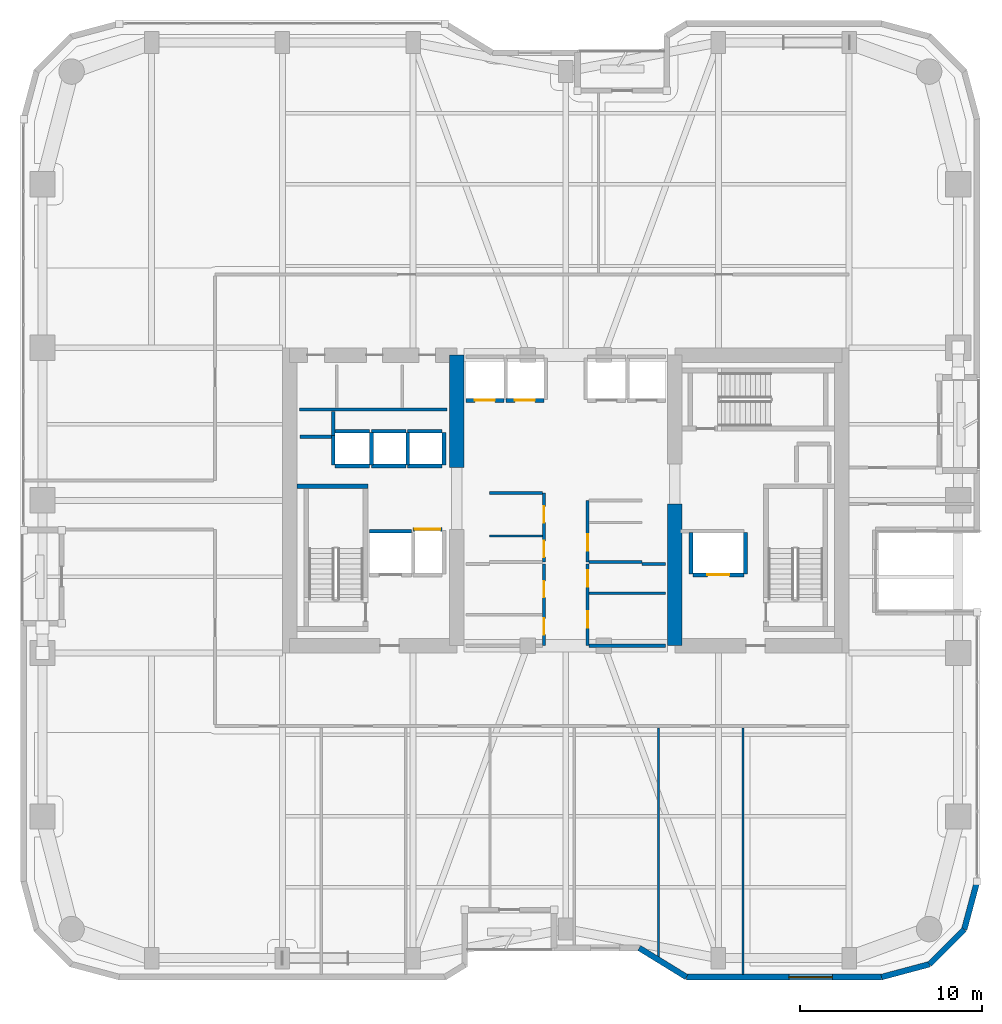
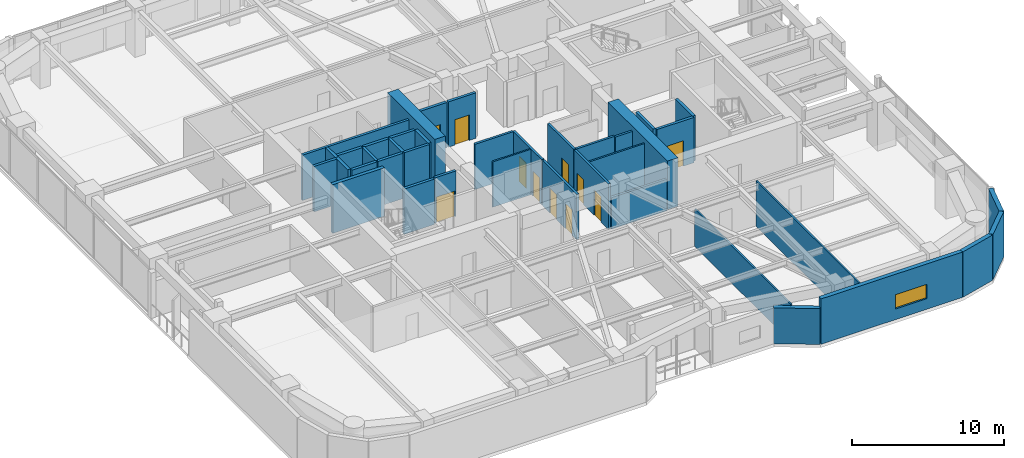
# One storey, part 19 of 24: 40 walls, 11 doors, 1 window, 12 openings.
"""IFC4 building model written with IfcOpenShell, lengths in metres."""

from ifc_helpers import new_model, si_unit, direction, frame, frame_2d, origin, place, context, subcontext, project, spatial, rectangle, extrude, material, layer, layer_set, type_object, element, fill, save


model = new_model("IFC4")

# Units and contexts
model_context = context("Model", 3, precision=1e-05, world=origin(), true_north=direction((0.0, 1.0)))
body_context = subcontext(model_context, "Body", "Model", "MODEL_VIEW")
ifc_project = project(units=[si_unit("LENGTHUNIT", "METRE"), si_unit("AREAUNIT", "SQUARE_METRE"), si_unit("VOLUMEUNIT", "CUBIC_METRE"), si_unit("PLANEANGLEUNIT", "RADIAN"), si_unit("MASSUNIT", "GRAM", prefix="KILO")], contexts=[model_context])

# Site, building, storey
site_placement = place(None, origin())
site = spatial("IfcSite", under=ifc_project, at=site_placement, CompositionType="ELEMENT")
building_placement = place(site_placement, origin())
building = spatial("IfcBuilding", under=site, at=building_placement, Name="Kiyonajd Concourse Tower", CompositionType="ELEMENT")
storey_placement = place(building_placement, frame((0.0, 0.0, 129.89990234375)))
storey = spatial("IfcBuildingStorey", under=building, at=storey_placement, Name="L33", CompositionType="ELEMENT", Elevation=129.89990234375)

# Walls
ifc_material_1 = material(Name="Concrete C70/85", Category="concrete")
ifc_layer_1 = layer(ifc_material_1, 0.800048828125)
ifc_layer_set_1 = layer_set([ifc_layer_1], Name="Concrete C70/85")
wall_type_1 = type_object("IfcWallType", Name="WL-CORE-800", PredefinedType="SHEAR", material=ifc_layer_set_1)
wall_1_placement = place(storey_placement, frame((42.0, 37.800048828125, 0.0), z_axis=(0.0, 0.0, 1.0), x_axis=(0.0, 1.0, 0.0)))
element("IfcWall", 1, at=wall_1_placement, inside=storey, type_object=wall_type_1, Name="L33 West Core Inner North Shear Wall", PredefinedType="SHEAR", context=body_context, shape_type="SweptSolid", body=[
    extrude(rectangle(XDim=6.199951171875, YDim=0.800048828125, at=frame_2d((3.10009765625, 0.0))), origin(), (0.0, 0.0, 1.0), 3.900146484375),
])
wall_2_placement = place(storey_placement, frame((54.0, 28.0, 0.0), z_axis=(0.0, 0.0, 1.0), x_axis=(0.0, 1.0, 0.0)))
element("IfcWall", 2, at=wall_2_placement, inside=storey, type_object=wall_type_1, Name="L33 East Core Inner South Shear Wall", PredefinedType="SHEAR", context=body_context, shape_type="SweptSolid", body=[
    extrude(rectangle(XDim=7.800048828125, YDim=0.800048828125, at=frame_2d((3.89990234375, 0.0))), origin(), (0.0, 0.0, 1.0), 3.900146484375),
])
ifc_material_2 = material(Name="Precast concrete C50/60", Category="concrete")
ifc_layer_2 = layer(ifc_material_2, 0.320068359375)
ifc_layer_set_2 = layer_set([ifc_layer_2], Name="Precast concrete C50/60")
wall_type_2 = type_object("IfcWallType", Name="WL-EXT-320", PredefinedType="SOLIDWALL", material=ifc_layer_set_2)
wall_3_placement = place(storey_placement, frame((70.639892578125, 15.02099609375, 0.0), z_axis=(0.0, 0.0, 1.0), x_axis=(-0.258613949072, -0.965980758269, 0.0)))
element("IfcWall", 3, at=wall_3_placement, inside=storey, type_object=wall_type_2, Name="L33 Exterior Concrete Frame Wall 28", PredefinedType="SOLIDWALL", context=body_context, shape_type="SweptSolid", body=[
    extrude(rectangle(XDim=2.731201171875, YDim=0.320068359375, at=frame_2d((1.36572265625, 0.0))), origin(), (0.0, 0.0, 1.0), 3.64013671875),
])
wall_4_placement = place(storey_placement, frame((69.93359375, 12.3828125, 0.0), z_axis=(0.0, 0.0, 1.0), x_axis=(-0.707151821269, -0.707061738235, 0.0)))
element("IfcWall", 4, at=wall_4_placement, inside=storey, type_object=wall_type_2, Name="L33 Exterior Concrete Frame Wall 29", PredefinedType="SOLIDWALL", context=body_context, shape_type="SweptSolid", body=[
    extrude(rectangle(XDim=2.710205078125, YDim=0.320068359375, at=frame_2d((1.35498046875, 0.0))), origin(), (0.0, 0.0, 1.0), 3.64013671875),
])
wall_5_placement = place(storey_placement, frame((68.01708984375, 10.466552734375, 0.0), z_axis=(0.0, 0.0, 1.0), x_axis=(-0.965958423373, -0.25869736047, 0.0)))
element("IfcWall", 5, at=wall_5_placement, inside=storey, type_object=wall_type_2, Name="L33 Exterior Concrete Frame Wall 30", PredefinedType="SOLIDWALL", context=body_context, shape_type="SweptSolid", body=[
    extrude(rectangle(XDim=2.731201171875, YDim=0.320068359375, at=frame_2d((1.36572265625, 0.0))), origin(), (0.0, 0.0, 1.0), 3.64013671875),
])

# Wall, opening, window
wall_6_placement = place(storey_placement, frame((65.37890625, 9.760009765625, 0.0), z_axis=(0.0, 0.0, 1.0), x_axis=(-1.0, 0.0, 0.0)))
wall_6 = element("IfcWall", 6, at=wall_6_placement, inside=storey, type_object=wall_type_2, Name="L33 Exterior Concrete Frame Wall 31", PredefinedType="SOLIDWALL", context=body_context, shape_type="SweptSolid", body=[
    extrude(rectangle(XDim=10.733642578125, YDim=0.320068359375, at=frame_2d((5.36669921875, 0.0))), origin(), (0.0, 0.0, 1.0), 3.64013671875),
])
opening_1_placement = place(wall_6_placement, frame((2.7041015625, 0.0, 0.85009765625)))
opening_1 = element("IfcOpeningElement", 7, at=opening_1_placement, cuts=wall_6, Name="Opening WN4", PredefinedType="OPENING", context=body_context, shape_type="SweptSolid", body=[
    extrude(rectangle(XDim=2.39990234375, YDim=1.14990234375, at=frame_2d((1.199951171875, 0.574951171875))), frame((0.0, 0.169921875, 0.0), z_axis=(0.0, -1.0, 0.0), x_axis=(1.0, 0.0, 0.0)), (0.0, 0.0, 1.0), 0.340087890625),
])
ifc_material_3 = material(Name="Double Low-E Insulated Glass", Category="glass")
window_type = type_object("IfcWindowType", Name="WN-VIS-2400x1150", PartitioningType="SINGLE_PANEL", PredefinedType="WINDOW", material=ifc_material_3)
window_placement = place(opening_1_placement, origin())
window = element("IfcWindow", 8, at=window_placement, inside=storey, type_object=window_type, Name="L33 Modular Facade Vision Window 31", OverallHeight=1.14990234375, OverallWidth=2.39990234375, PartitioningType="SINGLE_PANEL", PredefinedType="WINDOW", context=body_context, shape_type="SweptSolid", body=[
    extrude(rectangle(XDim=2.39990234375, YDim=1.14990234375, at=frame_2d((1.199951171875, 0.574951171875))), frame((0.0, 0.030029296875, 0.0), z_axis=(0.0, -1.0, 0.0), x_axis=(1.0, 0.0, 0.0)), (0.0, 0.0, 1.0), 0.06005859375),
])
fill(opening_1, window)

# Walls
wall_7_placement = place(storey_placement, frame((54.645263671875, 9.760009765625, 0.0), z_axis=(0.0, 0.0, 1.0), x_axis=(-0.851630857047, 0.524142044989, 0.0)))
element("IfcWall", 9, at=wall_7_placement, inside=storey, type_object=wall_type_2, Name="L33 Exterior Concrete Frame Wall 32", PredefinedType="SOLIDWALL", context=body_context, shape_type="SweptSolid", body=[
    extrude(rectangle(XDim=3.052734375, YDim=0.320068359375, at=frame_2d((1.5263671875, 0.0))), origin(), (0.0, 0.0, 1.0), 2.875),
])
ifc_material_4 = material(Name="Gypsum Board on Cold-Formed Steel Stud", Category="steel")
ifc_layer_3 = layer(ifc_material_4, 0.125)
ifc_layer_set_3 = layer_set([ifc_layer_3], Name="Gypsum Board on Cold-Formed Steel Stud")
wall_type_3 = type_object("IfcWallType", Name="WL-PART-125", PredefinedType="PARTITIONING", material=ifc_layer_set_3)
wall_8_placement = place(storey_placement, frame((43.800048828125, 34.0439453125, 0.0), z_axis=(0.0, 0.0, 1.0), x_axis=(1.0, 0.0, 0.0)))
element("IfcWall", 10, at=wall_8_placement, inside=storey, type_object=wall_type_3, Name="L33 Interior Partition Wall", PredefinedType="PARTITIONING", context=body_context, shape_type="SweptSolid", body=[
    extrude(rectangle(XDim=2.912841796875, YDim=0.125, at=frame_2d((1.45654296875, 0.0))), origin(), (0.0, 0.0, 1.0), 3.64013671875),
])
wall_9_placement = place(storey_placement, frame((49.287109375, 30.8798828125, 0.0), z_axis=(0.0, 0.0, 1.0), x_axis=(1.0, 0.0, 0.0)))
element("IfcWall", 11, at=wall_9_placement, inside=storey, type_object=wall_type_3, Name="L33 Interior Partition Wall", PredefinedType="PARTITIONING", context=body_context, shape_type="SweptSolid", body=[
    extrude(rectangle(XDim=4.212890625, YDim=0.125, at=frame_2d((2.1064453125, 0.0))), origin(), (0.0, 0.0, 1.0), 3.64013671875),
])
wall_10_placement = place(storey_placement, frame((53.110107421875, 10.860107421875, 0.0), z_axis=(0.0, 0.0, 1.0), x_axis=(0.0, 1.0, 0.0)))
element("IfcWall", 12, at=wall_10_placement, inside=storey, type_object=wall_type_3, Name="L33 Interior Partition Wall", PredefinedType="PARTITIONING", context=body_context, shape_type="SweptSolid", body=[
    extrude(rectangle(XDim=12.622802734375, YDim=0.125, at=frame_2d((6.3115234375, 0.0))), origin(), (0.0, 0.0, 1.0), 3.003173828125),
])
wall_11_placement = place(storey_placement, frame((57.760009765625, 9.9150390625, 0.0), z_axis=(0.0, 0.0, 1.0), x_axis=(0.0, 1.0, 0.0)))
element("IfcWall", 13, at=wall_11_placement, inside=storey, type_object=wall_type_3, Name="L33 Interior Partition Wall", PredefinedType="PARTITIONING", context=body_context, shape_type="SweptSolid", body=[
    extrude(rectangle(XDim=13.56787109375, YDim=0.125, at=frame_2d((6.783935546875, 0.0))), origin(), (0.0, 0.0, 1.0), 3.64013671875),
])
ifc_layer_4 = layer(ifc_material_4, 0.18994140625)
ifc_layer_set_4 = layer_set([ifc_layer_4], Name="Gypsum Board on Cold-Formed Steel Stud")
wall_type_4 = type_object("IfcWallType", Name="WL-PLMB-190", PredefinedType="PLUMBINGWALL", material=ifc_layer_set_4)
wall_12_placement = place(storey_placement, frame((33.35009765625, 41.0, 0.0), z_axis=(0.0, 0.0, 1.0), x_axis=(1.0, 0.0, 0.0)))
element("IfcWall", 14, at=wall_12_placement, inside=storey, type_object=wall_type_4, Name="L33 Interior Partition Wall", PredefinedType="PLUMBINGWALL", context=body_context, shape_type="SweptSolid", body=[
    extrude(rectangle(XDim=8.099853515625, YDim=0.18994140625, at=frame_2d((4.0498046875, 0.0))), origin(), (0.0, 0.0, 1.0), 3.64013671875),
])
ifc_layer_5 = layer(ifc_material_4, 0.2099609375)
ifc_layer_set_5 = layer_set([ifc_layer_5], Name="Gypsum Board on Cold-Formed Steel Stud")
wall_type_5 = type_object("IfcWallType", Name="WL-SHAFT-210", PredefinedType="PARTITIONING", material=ifc_layer_set_5)
wall_13_placement = place(storey_placement, frame((33.360107421875, 39.5, 0.0), z_axis=(0.0, 0.0, 1.0), x_axis=(1.0, 0.0, 0.0)))
element("IfcWall", 15, at=wall_13_placement, inside=storey, type_object=wall_type_5, Name="L33 Shaft Enclosure Wall", PredefinedType="PARTITIONING", context=body_context, shape_type="SweptSolid", body=[
    extrude(rectangle(XDim=1.85986328125, YDim=0.2099609375, at=frame_2d((0.929931640625, 0.0))), origin(), (0.0, 0.0, 1.0), 3.64013671875),
])
wall_14_placement = place(storey_placement, frame((35.199951171875, 39.580078125, 0.0), z_axis=(0.0, 0.0, 1.0), x_axis=(0.0, 1.0, 0.0)))
element("IfcWall", 16, at=wall_14_placement, inside=storey, type_object=wall_type_5, Name="L33 Shaft Enclosure Wall", PredefinedType="PARTITIONING", context=body_context, shape_type="SweptSolid", body=[
    extrude(rectangle(XDim=1.31982421875, YDim=0.2099609375, at=frame_2d((0.659912109375, 0.0))), origin(), (0.0, 0.0, 1.0), 3.64013671875),
])
wall_15_placement = place(storey_placement, frame((37.199951171875, 34.300048828125, 0.0), z_axis=(0.0, 0.0, 1.0), x_axis=(1.0, 0.0, 0.0)))
element("IfcWall", 17, at=wall_15_placement, inside=storey, type_object=wall_type_5, Name="L33 Shaft Enclosure Wall", PredefinedType="PARTITIONING", context=body_context, shape_type="SweptSolid", body=[
    extrude(rectangle(XDim=2.300048828125, YDim=0.2099609375, at=frame_2d((1.14990234375, 0.0))), origin(), (0.0, 0.0, 1.0), 3.64013671875),
])

# Wall, opening, door
wall_16_placement = place(storey_placement, frame((55.0, 31.89990234375, 0.0), z_axis=(0.0, 0.0, 1.0), x_axis=(1.0, 0.0, 0.0)))
wall_16 = element("IfcWall", 18, at=wall_16_placement, inside=storey, type_object=wall_type_5, Name="L33 Shaft Enclosure Wall", PredefinedType="PARTITIONING", context=body_context, shape_type="SweptSolid", body=[
    extrude(rectangle(XDim=2.800048828125, YDim=0.2099609375, at=frame_2d((1.39990234375, 0.0))), origin(), (0.0, 0.0, 1.0), 3.64013671875),
])
opening_2_placement = place(wall_16_placement, frame((0.800048828125, 0.0, 0.0)))
opening_2 = element("IfcOpeningElement", 19, at=opening_2_placement, cuts=wall_16, Name="Opening LD2", PredefinedType="OPENING", context=body_context, shape_type="SweptSolid", body=[
    extrude(rectangle(XDim=1.199951171875, YDim=2.0400390625, at=frame_2d((0.60009765625, 1.02001953125))), frame((0.0, 0.114990234375, 0.0), z_axis=(0.0, -1.0, 0.0), x_axis=(1.0, 0.0, 0.0)), (0.0, 0.0, 1.0), 0.22998046875),
])
ifc_material_5 = material(Name="Brushed Stainless Steel Cab Assembly", Category="steel")
door_type_1 = type_object("IfcDoorType", Name="DR-LD-1200", OperationType="DOUBLE_DOOR_SLIDING", PredefinedType="DOOR", material=ifc_material_5)
door_1_placement = place(opening_2_placement, origin())
door_1 = element("IfcDoor", 20, at=door_1_placement, inside=storey, type_object=door_type_1, Name="L33 Lift FFL2 Sliding Landing Door", OperationType="DOUBLE_DOOR_SLIDING", OverallHeight=2.0400390625, OverallWidth=1.199951171875, PredefinedType="DOOR", context=body_context, shape_type="SweptSolid", body=[
    extrude(rectangle(XDim=1.199951171875, YDim=2.0400390625, at=frame_2d((0.60009765625, 1.02001953125))), frame((0.0, 0.02490234375, 0.0), z_axis=(0.0, -1.0, 0.0), x_axis=(1.0, 0.0, 0.0)), (0.0, 0.0, 1.0), 0.050048828125),
])
fill(opening_2, door_1)

# Walls
for number, where, z_axis, x_axis, name in (
    (21, (54.89990234375, 31.9599609375, 0.0), (0.0, 0.0, 1.0), (0.0, 1.0, 0.0), "L33 Shaft Enclosure Wall"),
    (22, (57.89990234375, 31.9599609375, 0.0), (0.0, 0.0, 1.0), (0.0, 1.0, 0.0), "L33 Shaft Enclosure Wall"),
):
    element("IfcWall", number, at=place(storey_placement, frame(where, z_axis=z_axis, x_axis=x_axis)), inside=storey, type_object=wall_type_5, Name=name, PredefinedType="PARTITIONING", context=body_context, shape_type="SweptSolid", body=[
        extrude(rectangle(XDim=2.280029296875, YDim=0.2099609375, at=frame_2d((1.14013671875, 0.0))), origin(), (0.0, 0.0, 1.0), 3.64013671875),
    ])

# Wall, opening, door
wall_17_placement = place(storey_placement, frame((39.60009765625, 34.39990234375, 0.0), z_axis=(0.0, 0.0, 1.0), x_axis=(1.0, 0.0, 0.0)))
wall_17 = element("IfcWall", 23, at=wall_17_placement, inside=storey, type_object=wall_type_5, Name="L33 Shaft Enclosure Wall", PredefinedType="PARTITIONING", context=body_context, shape_type="SweptSolid", body=[
    extrude(rectangle(XDim=1.599853515625, YDim=0.2099609375, at=frame_2d((0.7998046875, 0.0))), origin(), (0.0, 0.0, 1.0), 3.64013671875),
])
opening_3_placement = place(wall_17_placement, frame((0.10009765625, 0.0, 0.0)))
opening_3 = element("IfcOpeningElement", 24, at=opening_3_placement, cuts=wall_17, Name="Opening LD3", PredefinedType="OPENING", context=body_context, shape_type="SweptSolid", body=[
    extrude(rectangle(XDim=1.39990234375, YDim=2.06005859375, at=frame_2d((0.699951171875, 1.030029296875))), frame((0.0, 0.114990234375, 0.0), z_axis=(0.0, -1.0, 0.0), x_axis=(1.0, 0.0, 0.0)), (0.0, 0.0, 1.0), 0.22998046875),
])
door_type_2 = type_object("IfcDoorType", Name="DR-LD-1400", OperationType="DOUBLE_DOOR_SLIDING", PredefinedType="DOOR", material=ifc_material_5)
door_2_placement = place(opening_3_placement, origin())
door_2 = element("IfcDoor", 25, at=door_2_placement, inside=storey, type_object=door_type_2, Name="L33 Lift SVL1 Sliding Landing Door", OperationType="DOUBLE_DOOR_SLIDING", OverallHeight=2.06005859375, OverallWidth=1.39990234375, PredefinedType="DOOR", context=body_context, shape_type="SweptSolid", body=[
    extrude(rectangle(XDim=1.39990234375, YDim=2.06005859375, at=frame_2d((0.699951171875, 1.030029296875))), frame((0.0, 0.02490234375, 0.0), z_axis=(0.0, -1.0, 0.0), x_axis=(1.0, 0.0, 0.0)), (0.0, 0.0, 1.0), 0.050048828125),
])
fill(opening_3, door_2)

wall_18_placement = place(storey_placement, frame((42.5, 41.5, 0.0), z_axis=(0.0, 0.0, 1.0), x_axis=(1.0, 0.0, 0.0)))
wall_18 = element("IfcWall", 26, at=wall_18_placement, inside=storey, type_object=wall_type_5, Name="L33 Shaft Enclosure Wall", PredefinedType="PARTITIONING", context=body_context, shape_type="SweptSolid", body=[
    extrude(rectangle(XDim=2.10009765625, YDim=0.2099609375, at=frame_2d((1.050048828125, 0.0))), origin(), (0.0, 0.0, 1.0), 3.64013671875),
])
opening_4_placement = place(wall_18_placement, frame((0.5, 0.0, 0.0)))
opening_4 = element("IfcOpeningElement", 27, at=opening_4_placement, cuts=wall_18, Name="Opening LD1", PredefinedType="OPENING", context=body_context, shape_type="SweptSolid", body=[
    extrude(rectangle(XDim=1.10009765625, YDim=2.0400390625, at=frame_2d((0.550048828125, 1.02001953125))), frame((0.0, 0.114990234375, 0.0), z_axis=(0.0, -1.0, 0.0), x_axis=(1.0, 0.0, 0.0)), (0.0, 0.0, 1.0), 0.22998046875),
])
door_type_3 = type_object("IfcDoorType", Name="DR-LD-1100", OperationType="DOUBLE_DOOR_SLIDING", PredefinedType="DOOR", material=ifc_material_5)
door_3_placement = place(opening_4_placement, origin())
door_3 = element("IfcDoor", 28, at=door_3_placement, inside=storey, type_object=door_type_3, Name="L33 Lift PL-M1 Sliding Landing Door", OperationType="DOUBLE_DOOR_SLIDING", OverallHeight=2.0400390625, OverallWidth=1.10009765625, PredefinedType="DOOR", context=body_context, shape_type="SweptSolid", body=[
    extrude(rectangle(XDim=1.10009765625, YDim=2.0400390625, at=frame_2d((0.550048828125, 1.02001953125))), frame((0.0, 0.02490234375, 0.0), z_axis=(0.0, -1.0, 0.0), x_axis=(1.0, 0.0, 0.0)), (0.0, 0.0, 1.0), 0.050048828125),
])
fill(opening_4, door_3)

wall_19_placement = place(storey_placement, frame((44.699951171875, 41.5, 0.0), z_axis=(0.0, 0.0, 1.0), x_axis=(1.0, 0.0, 0.0)))
wall_19 = element("IfcWall", 29, at=wall_19_placement, inside=storey, type_object=wall_type_5, Name="L33 Shaft Enclosure Wall", PredefinedType="PARTITIONING", context=body_context, shape_type="SweptSolid", body=[
    extrude(rectangle(XDim=2.10009765625, YDim=0.2099609375, at=frame_2d((1.050048828125, 0.0))), origin(), (0.0, 0.0, 1.0), 3.64013671875),
])
opening_5_placement = place(wall_19_placement, frame((0.5, 0.0, 0.0)))
opening_5 = element("IfcOpeningElement", 30, at=opening_5_placement, cuts=wall_19, Name="Opening LD1", PredefinedType="OPENING", context=body_context, shape_type="SweptSolid", body=[
    extrude(rectangle(XDim=1.10009765625, YDim=2.0400390625, at=frame_2d((0.550048828125, 1.02001953125))), frame((0.0, 0.114990234375, 0.0), z_axis=(0.0, -1.0, 0.0), x_axis=(1.0, 0.0, 0.0)), (0.0, 0.0, 1.0), 0.22998046875),
])
door_4_placement = place(opening_5_placement, origin())
door_4 = element("IfcDoor", 31, at=door_4_placement, inside=storey, type_object=door_type_3, Name="L33 Lift PL-M2 Sliding Landing Door", OperationType="DOUBLE_DOOR_SLIDING", OverallHeight=2.0400390625, OverallWidth=1.10009765625, PredefinedType="DOOR", context=body_context, shape_type="SweptSolid", body=[
    extrude(rectangle(XDim=1.10009765625, YDim=2.0400390625, at=frame_2d((0.550048828125, 1.02001953125))), frame((0.0, 0.02490234375, 0.0), z_axis=(0.0, -1.0, 0.0), x_axis=(1.0, 0.0, 0.0)), (0.0, 0.0, 1.0), 0.050048828125),
])
fill(opening_5, door_4)

# Walls
for number, where, z_axis, x_axis, name in (
    (32, (35.300048828125, 37.89990234375, 0.0), (0.0, 0.0, 1.0), (1.0, 0.0, 0.0), "L33 Shaft Enclosure Wall"),
    (33, (35.300048828125, 39.800048828125, 0.0), (0.0, 0.0, 1.0), (1.0, 0.0, 0.0), "L33 Shaft Enclosure Wall"),
):
    element("IfcWall", number, at=place(storey_placement, frame(where, z_axis=z_axis, x_axis=x_axis)), inside=storey, type_object=wall_type_5, Name=name, PredefinedType="PARTITIONING", context=body_context, shape_type="SweptSolid", body=[
        extrude(rectangle(XDim=1.89990234375, YDim=0.2099609375, at=frame_2d((0.949951171875, 0.0))), origin(), (0.0, 0.0, 1.0), 3.64013671875),
    ])
wall_20_placement = place(storey_placement, frame((35.199951171875, 37.9599609375, 0.0), z_axis=(0.0, 0.0, 1.0), x_axis=(0.0, 1.0, 0.0)))
element("IfcWall", 34, at=wall_20_placement, inside=storey, type_object=wall_type_5, Name="L33 Shaft Enclosure Wall", PredefinedType="PARTITIONING", context=body_context, shape_type="SweptSolid", body=[
    extrude(rectangle(XDim=1.6201171875, YDim=0.2099609375, at=frame_2d((0.81005859375, 0.0))), origin(), (0.0, 0.0, 1.0), 3.64013671875),
])
wall_21_placement = place(storey_placement, frame((37.300048828125, 37.9599609375, 0.0), z_axis=(0.0, 0.0, 1.0), x_axis=(0.0, 1.0, 0.0)))
element("IfcWall", 35, at=wall_21_placement, inside=storey, type_object=wall_type_5, Name="L33 Shaft Enclosure Wall", PredefinedType="PARTITIONING", context=body_context, shape_type="SweptSolid", body=[
    extrude(rectangle(XDim=1.780029296875, YDim=0.2099609375, at=frame_2d((0.89013671875, 0.0))), origin(), (0.0, 0.0, 1.0), 3.64013671875),
])
for number, where, z_axis, x_axis, name in (
    (36, (37.300048828125, 37.89990234375, 0.0), (0.0, 0.0, 1.0), (1.0, 0.0, 0.0), "L33 Shaft Enclosure Wall"),
    (37, (37.300048828125, 39.800048828125, 0.0), (0.0, 0.0, 1.0), (1.0, 0.0, 0.0), "L33 Shaft Enclosure Wall"),
):
    element("IfcWall", number, at=place(storey_placement, frame(where, z_axis=z_axis, x_axis=x_axis)), inside=storey, type_object=wall_type_5, Name=name, PredefinedType="PARTITIONING", context=body_context, shape_type="SweptSolid", body=[
        extrude(rectangle(XDim=1.89990234375, YDim=0.2099609375, at=frame_2d((0.949951171875, 0.0))), origin(), (0.0, 0.0, 1.0), 3.64013671875),
    ])
wall_22_placement = place(storey_placement, frame((39.300048828125, 37.9599609375, 0.0), z_axis=(0.0, 0.0, 1.0), x_axis=(0.0, 1.0, 0.0)))
element("IfcWall", 38, at=wall_22_placement, inside=storey, type_object=wall_type_5, Name="L33 Shaft Enclosure Wall", PredefinedType="PARTITIONING", context=body_context, shape_type="SweptSolid", body=[
    extrude(rectangle(XDim=1.780029296875, YDim=0.2099609375, at=frame_2d((0.89013671875, 0.0))), origin(), (0.0, 0.0, 1.0), 3.64013671875),
])
for number, where, z_axis, x_axis, name in (
    (39, (39.300048828125, 37.89990234375, 0.0), (0.0, 0.0, 1.0), (1.0, 0.0, 0.0), "L33 Shaft Enclosure Wall"),
    (40, (39.300048828125, 39.800048828125, 0.0), (0.0, 0.0, 1.0), (1.0, 0.0, 0.0), "L33 Shaft Enclosure Wall"),
):
    element("IfcWall", number, at=place(storey_placement, frame(where, z_axis=z_axis, x_axis=x_axis)), inside=storey, type_object=wall_type_5, Name=name, PredefinedType="PARTITIONING", context=body_context, shape_type="SweptSolid", body=[
        extrude(rectangle(XDim=1.89990234375, YDim=0.2099609375, at=frame_2d((0.949951171875, 0.0))), origin(), (0.0, 0.0, 1.0), 3.64013671875),
    ])
wall_23_placement = place(storey_placement, frame((41.300048828125, 37.9599609375, 0.0), z_axis=(0.0, 0.0, 1.0), x_axis=(0.0, 1.0, 0.0)))
element("IfcWall", 41, at=wall_23_placement, inside=storey, type_object=wall_type_5, Name="L33 Shaft Enclosure Wall", PredefinedType="PARTITIONING", context=body_context, shape_type="SweptSolid", body=[
    extrude(rectangle(XDim=1.780029296875, YDim=0.2099609375, at=frame_2d((0.89013671875, 0.0))), origin(), (0.0, 0.0, 1.0), 3.64013671875),
])

# Wall, openings, doors
ifc_layer_6 = layer(ifc_material_4, 0.169921875)
ifc_layer_set_6 = layer_set([ifc_layer_6], Name="Gypsum Board on Cold-Formed Steel Stud")
wall_type_6 = type_object("IfcWallType", Name="WL-SMK-170", PredefinedType="PARTITIONING", material=ifc_layer_set_6)
wall_24_placement = place(storey_placement, frame((46.800048828125, 32.60009765625, 0.0), z_axis=(0.0, 0.0, 1.0), x_axis=(0.0, 1.0, 0.0)))
wall_24 = element("IfcWall", 42, at=wall_24_placement, inside=storey, type_object=wall_type_6, Name="L33 Interior Partition Wall", PredefinedType="PARTITIONING", context=body_context, shape_type="SweptSolid", body=[
    extrude(rectangle(XDim=3.7998046875, YDim=0.169921875, at=frame_2d((1.89990234375, 0.0))), origin(), (0.0, 0.0, 1.0), 3.64013671875),
])
opening_6_placement = place(wall_24_placement, frame((0.27197265625, 0.0, 0.0)))
opening_6 = element("IfcOpeningElement", 43, at=opening_6_placement, cuts=wall_24, Name="Opening DI2", PredefinedType="OPENING", context=body_context, shape_type="SweptSolid", body=[
    extrude(rectangle(XDim=0.89990234375, YDim=2.02001953125, at=frame_2d((0.449951171875, 1.010009765625))), frame((0.0, 0.094970703125, 0.0), z_axis=(0.0, -1.0, 0.0), x_axis=(1.0, 0.0, 0.0)), (0.0, 0.0, 1.0), 0.18994140625),
])
opening_7_placement = place(wall_24_placement, frame((2.172119140625, 0.0, 0.0)))
opening_7 = element("IfcOpeningElement", 44, at=opening_7_placement, cuts=wall_24, Name="Opening DI2", PredefinedType="OPENING", context=body_context, shape_type="SweptSolid", body=[
    extrude(rectangle(XDim=0.89990234375, YDim=2.02001953125, at=frame_2d((0.449951171875, 1.010009765625))), frame((0.0, 0.094970703125, 0.0), z_axis=(0.0, -1.0, 0.0), x_axis=(1.0, 0.0, 0.0)), (0.0, 0.0, 1.0), 0.18994140625),
])
ifc_material_6 = material(Name="Natural Oak Acoustic Timber Veneer", Category="wood")
door_type_4 = type_object("IfcDoorType", Name="DR-INT-900", OperationType="NOTDEFINED", PredefinedType="DOOR", material=ifc_material_6)
door_5_placement = place(opening_6_placement, origin())
door_5 = element("IfcDoor", 45, at=door_5_placement, inside=storey, type_object=door_type_4, Name="L33 Interior Door", OperationType="SINGLE_SWING_RIGHT", OverallHeight=2.02001953125, OverallWidth=0.89990234375, PredefinedType="DOOR", context=body_context, shape_type="SweptSolid", body=[
    extrude(rectangle(XDim=0.89990234375, YDim=2.02001953125, at=frame_2d((0.449951171875, 1.010009765625))), frame((0.0, 0.02490234375, 0.0), z_axis=(0.0, -1.0, 0.0), x_axis=(1.0, 0.0, 0.0)), (0.0, 0.0, 1.0), 0.050048828125),
])
fill(opening_6, door_5)
door_6_placement = place(opening_7_placement, origin())
door_6 = element("IfcDoor", 46, at=door_6_placement, inside=storey, type_object=door_type_4, Name="L33 Interior Door", OperationType="SINGLE_SWING_LEFT", OverallHeight=2.02001953125, OverallWidth=0.89990234375, PredefinedType="DOOR", context=body_context, shape_type="SweptSolid", body=[
    extrude(rectangle(XDim=0.89990234375, YDim=2.02001953125, at=frame_2d((0.449951171875, 1.010009765625))), frame((0.0, 0.02490234375, 0.0), z_axis=(0.0, -1.0, 0.0), x_axis=(1.0, 0.0, 0.0)), (0.0, 0.0, 1.0), 0.050048828125),
])
fill(opening_7, door_6)

# Wall
wall_25_placement = place(storey_placement, frame((43.800048828125, 36.39990234375, 0.0), z_axis=(0.0, 0.0, 1.0), x_axis=(1.0, 0.0, 0.0)))
element("IfcWall", 47, at=wall_25_placement, inside=storey, type_object=wall_type_6, Name="L33 Interior Partition Wall", PredefinedType="PARTITIONING", context=body_context, shape_type="SweptSolid", body=[
    extrude(rectangle(XDim=2.912841796875, YDim=0.169921875, at=frame_2d((1.45654296875, 0.0))), origin(), (0.0, 0.0, 1.0), 3.64013671875),
])

# Wall, opening, door
wall_26_placement = place(storey_placement, frame((49.199951171875, 32.60009765625, 0.0), z_axis=(0.0, 0.0, 1.0), x_axis=(0.0, 1.0, 0.0)))
wall_26 = element("IfcWall", 48, at=wall_26_placement, inside=storey, type_object=wall_type_6, Name="L33 Interior Partition Wall", PredefinedType="PARTITIONING", context=body_context, shape_type="SweptSolid", body=[
    extrude(rectangle(XDim=3.39990234375, YDim=0.169921875, at=frame_2d((1.699951171875, 0.0))), origin(), (0.0, 0.0, 1.0), 3.64013671875),
])
opening_8_placement = place(wall_26_placement, frame((0.637939453125, 0.0, 0.0)))
opening_8 = element("IfcOpeningElement", 49, at=opening_8_placement, cuts=wall_26, Name="Opening DF4", PredefinedType="OPENING", context=body_context, shape_type="SweptSolid", body=[
    extrude(rectangle(XDim=0.89990234375, YDim=2.02001953125, at=frame_2d((0.449951171875, 1.010009765625))), frame((0.0, 0.094970703125, 0.0), z_axis=(0.0, -1.0, 0.0), x_axis=(1.0, 0.0, 0.0)), (0.0, 0.0, 1.0), 0.18994140625),
])
door_type_5 = type_object("IfcDoorType", Name="DR-FD60-900", OperationType="NOTDEFINED", PredefinedType="DOOR", material=ifc_material_5)
door_7_placement = place(opening_8_placement, origin())
door_7 = element("IfcDoor", 50, at=door_7_placement, inside=storey, type_object=door_type_5, Name="L33 Interior Door", OperationType="SINGLE_SWING_RIGHT", OverallHeight=2.02001953125, OverallWidth=0.89990234375, PredefinedType="DOOR", context=body_context, shape_type="SweptSolid", body=[
    extrude(rectangle(XDim=0.89990234375, YDim=2.02001953125, at=frame_2d((0.449951171875, 1.010009765625))), frame((0.0, 0.02490234375, 0.0), z_axis=(0.0, -1.0, 0.0), x_axis=(1.0, 0.0, 0.0)), (0.0, 0.0, 1.0), 0.050048828125),
])
fill(opening_8, door_7)

# Wall
wall_27_placement = place(storey_placement, frame((49.287109375, 32.60009765625, 0.0), z_axis=(0.0, 0.0, 1.0), x_axis=(1.0, 0.0, 0.0)))
element("IfcWall", 51, at=wall_27_placement, inside=storey, type_object=wall_type_6, Name="L33 Interior Partition Wall", PredefinedType="PARTITIONING", context=body_context, shape_type="SweptSolid", body=[
    extrude(rectangle(XDim=2.912841796875, YDim=0.169921875, at=frame_2d((1.45654296875, 0.0))), origin(), (0.0, 0.0, 1.0), 3.64013671875),
])

# Wall, openings, doors
wall_28_placement = place(storey_placement, frame((46.800048828125, 28.0, 0.0), z_axis=(0.0, 0.0, 1.0), x_axis=(0.0, 1.0, 0.0)))
wall_28 = element("IfcWall", 52, at=wall_28_placement, inside=storey, type_object=wall_type_6, Name="L33 Interior Partition Wall", PredefinedType="PARTITIONING", context=body_context, shape_type="SweptSolid", body=[
    extrude(rectangle(XDim=4.5, YDim=0.169921875, at=frame_2d((2.25, 0.0))), origin(), (0.0, 0.0, 1.0), 3.64013671875),
])
opening_9_placement = place(wall_28_placement, frame((0.60498046875, 0.0, 0.0)))
opening_9 = element("IfcOpeningElement", 53, at=opening_9_placement, cuts=wall_28, Name="Opening DI2", PredefinedType="OPENING", context=body_context, shape_type="SweptSolid", body=[
    extrude(rectangle(XDim=0.89990234375, YDim=2.02001953125, at=frame_2d((0.449951171875, 1.010009765625))), frame((0.0, 0.094970703125, 0.0), z_axis=(0.0, -1.0, 0.0), x_axis=(1.0, 0.0, 0.0)), (0.0, 0.0, 1.0), 0.18994140625),
])
opening_10_placement = place(wall_28_placement, frame((2.655029296875, 0.0, 0.0)))
opening_10 = element("IfcOpeningElement", 54, at=opening_10_placement, cuts=wall_28, Name="Opening DI2", PredefinedType="OPENING", context=body_context, shape_type="SweptSolid", body=[
    extrude(rectangle(XDim=0.89990234375, YDim=2.02001953125, at=frame_2d((0.449951171875, 1.010009765625))), frame((0.0, 0.094970703125, 0.0), z_axis=(0.0, -1.0, 0.0), x_axis=(1.0, 0.0, 0.0)), (0.0, 0.0, 1.0), 0.18994140625),
])
door_8_placement = place(opening_9_placement, origin())
door_8 = element("IfcDoor", 55, at=door_8_placement, inside=storey, type_object=door_type_4, Name="L33 Interior Door", OperationType="SINGLE_SWING_LEFT", OverallHeight=2.02001953125, OverallWidth=0.89990234375, PredefinedType="DOOR", context=body_context, shape_type="SweptSolid", body=[
    extrude(rectangle(XDim=0.89990234375, YDim=2.02001953125, at=frame_2d((0.449951171875, 1.010009765625))), frame((0.0, 0.02490234375, 0.0), z_axis=(0.0, -1.0, 0.0), x_axis=(1.0, 0.0, 0.0)), (0.0, 0.0, 1.0), 0.050048828125),
])
fill(opening_9, door_8)
door_9_placement = place(opening_10_placement, origin())
door_9 = element("IfcDoor", 56, at=door_9_placement, inside=storey, type_object=door_type_4, Name="L33 Interior Door", OperationType="SINGLE_SWING_RIGHT", OverallHeight=2.02001953125, OverallWidth=0.89990234375, PredefinedType="DOOR", context=body_context, shape_type="SweptSolid", body=[
    extrude(rectangle(XDim=0.89990234375, YDim=2.02001953125, at=frame_2d((0.449951171875, 1.010009765625))), frame((0.0, 0.02490234375, 0.0), z_axis=(0.0, -1.0, 0.0), x_axis=(1.0, 0.0, 0.0)), (0.0, 0.0, 1.0), 0.050048828125),
])
fill(opening_10, door_9)

wall_29_placement = place(storey_placement, frame((49.199951171875, 28.0, 0.0), z_axis=(0.0, 0.0, 1.0), x_axis=(0.0, 1.0, 0.0)))
wall_29 = element("IfcWall", 57, at=wall_29_placement, inside=storey, type_object=wall_type_6, Name="L33 Interior Partition Wall", PredefinedType="PARTITIONING", context=body_context, shape_type="SweptSolid", body=[
    extrude(rectangle(XDim=4.5, YDim=0.169921875, at=frame_2d((2.25, 0.0))), origin(), (0.0, 0.0, 1.0), 3.64013671875),
])
opening_11_placement = place(wall_29_placement, frame((0.989990234375, 0.0, 0.0)))
opening_11 = element("IfcOpeningElement", 58, at=opening_11_placement, cuts=wall_29, Name="Opening DF4", PredefinedType="OPENING", context=body_context, shape_type="SweptSolid", body=[
    extrude(rectangle(XDim=0.89990234375, YDim=2.02001953125, at=frame_2d((0.449951171875, 1.010009765625))), frame((0.0, 0.094970703125, 0.0), z_axis=(0.0, -1.0, 0.0), x_axis=(1.0, 0.0, 0.0)), (0.0, 0.0, 1.0), 0.18994140625),
])
opening_12_placement = place(wall_29_placement, frame((3.239990234375, 0.0, 0.0)))
opening_12 = element("IfcOpeningElement", 59, at=opening_12_placement, cuts=wall_29, Name="Opening DF4", PredefinedType="OPENING", context=body_context, shape_type="SweptSolid", body=[
    extrude(rectangle(XDim=0.89990234375, YDim=2.02001953125, at=frame_2d((0.449951171875, 1.010009765625))), frame((0.0, 0.094970703125, 0.0), z_axis=(0.0, -1.0, 0.0), x_axis=(1.0, 0.0, 0.0)), (0.0, 0.0, 1.0), 0.18994140625),
])
door_10_placement = place(opening_11_placement, origin())
door_10 = element("IfcDoor", 60, at=door_10_placement, inside=storey, type_object=door_type_5, Name="L33 Interior Door", OperationType="SINGLE_SWING_LEFT", OverallHeight=2.02001953125, OverallWidth=0.89990234375, PredefinedType="DOOR", context=body_context, shape_type="SweptSolid", body=[
    extrude(rectangle(XDim=0.89990234375, YDim=2.02001953125, at=frame_2d((0.449951171875, 1.010009765625))), frame((0.0, 0.02490234375, 0.0), z_axis=(0.0, -1.0, 0.0), x_axis=(1.0, 0.0, 0.0)), (0.0, 0.0, 1.0), 0.050048828125),
])
fill(opening_11, door_10)
door_11_placement = place(opening_12_placement, origin())
door_11 = element("IfcDoor", 61, at=door_11_placement, inside=storey, type_object=door_type_5, Name="L33 Interior Door", OperationType="SINGLE_SWING_RIGHT", OverallHeight=2.02001953125, OverallWidth=0.89990234375, PredefinedType="DOOR", context=body_context, shape_type="SweptSolid", body=[
    extrude(rectangle(XDim=0.89990234375, YDim=2.02001953125, at=frame_2d((0.449951171875, 1.010009765625))), frame((0.0, 0.02490234375, 0.0), z_axis=(0.0, -1.0, 0.0), x_axis=(1.0, 0.0, 0.0)), (0.0, 0.0, 1.0), 0.050048828125),
])
fill(opening_12, door_11)

# Walls
wall_30_placement = place(storey_placement, frame((49.287109375, 28.0, 0.0), z_axis=(0.0, 0.0, 1.0), x_axis=(1.0, 0.0, 0.0)))
element("IfcWall", 62, at=wall_30_placement, inside=storey, type_object=wall_type_6, Name="L33 Interior Partition Wall", PredefinedType="PARTITIONING", context=body_context, shape_type="SweptSolid", body=[
    extrude(rectangle(XDim=4.212890625, YDim=0.169921875, at=frame_2d((2.1064453125, 0.0))), origin(), (0.0, 0.0, 1.0), 2.525146484375),
])
wall_31_placement = place(storey_placement, frame((52.199951171875, 32.5, 0.0), z_axis=(0.0, 0.0, 1.0), x_axis=(1.0, 0.0, 0.0)))
element("IfcWall", 63, at=wall_31_placement, inside=storey, type_object=wall_type_6, Name="L33 Interior Partition Wall", PredefinedType="PARTITIONING", context=body_context, shape_type="SweptSolid", body=[
    extrude(rectangle(XDim=1.300048828125, YDim=0.169921875, at=frame_2d((0.64990234375, 0.0))), origin(), (0.0, 0.0, 1.0), 3.64013671875),
])
ifc_material_7 = material(Name="Concrete C50/60", Category="concrete")
ifc_layer_7 = layer(ifc_material_7, 0.260009765625)
ifc_layer_set_7 = layer_set([ifc_layer_7], Name="Concrete C50/60")
wall_type_7 = type_object("IfcWallType", Name="WL-STAIR-260", PredefinedType="SHEAR", material=ifc_layer_set_7)
wall_32_placement = place(storey_placement, frame((33.199951171875, 36.780029296875, 0.0), z_axis=(0.0, 0.0, 1.0), x_axis=(1.0, 0.0, 0.0)))
element("IfcWall", 64, at=wall_32_placement, inside=storey, type_object=wall_type_7, Name="L33 Stair ST1 Structural North Wall", PredefinedType="SHEAR", context=body_context, shape_type="SweptSolid", body=[
    extrude(rectangle(XDim=3.91015625, YDim=0.260009765625, at=frame_2d((1.955078125, 0.0))), origin(), (0.0, 0.0, 1.0), 3.900146484375),
])

save(model, "model.ifc")
